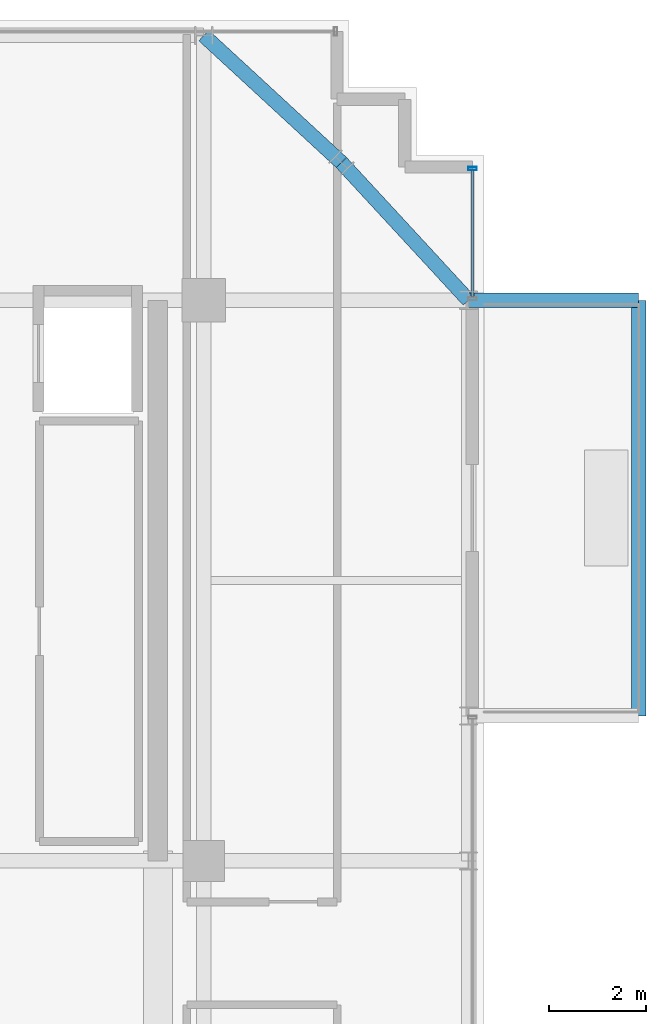
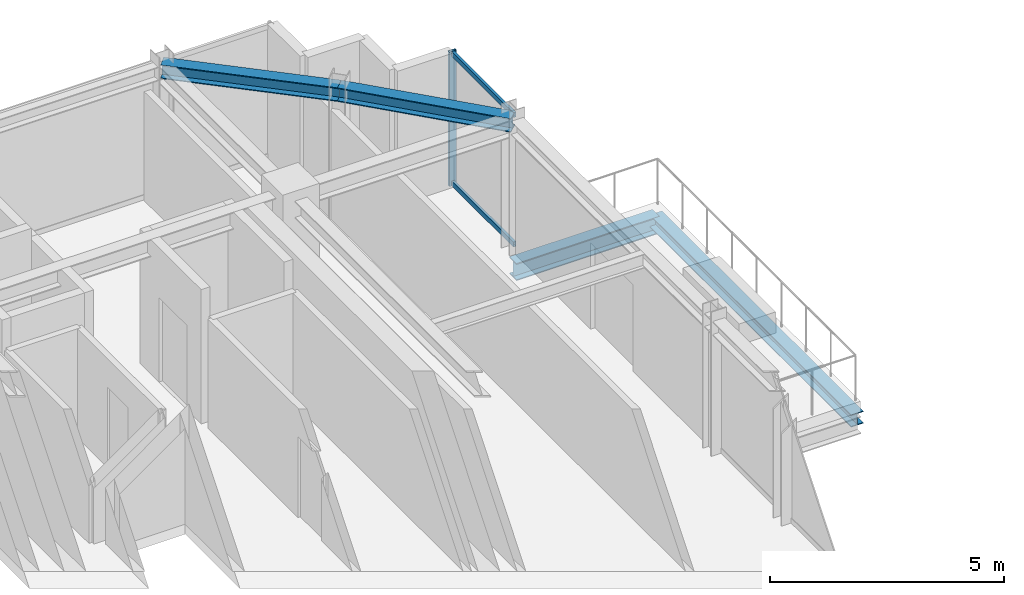
# One storey, part 24 of 32: 4 beams, 3 members, 1 element without a shape of its own.
"""IFC4 building model written with IfcOpenShell, lengths in metres."""

from ifc_helpers import new_model, si_unit, direction, frame, origin, origin_2d, place, context, subcontext, project, spatial, hollow_rectangle, i_section, extrude, source, transform, mapped, material, material_profile, profile_set, type_object, element, aggregate, save


model = new_model("IFC4")

# Units and contexts
model_context = context("Model", 3, precision=1e-05, world=origin(), true_north=direction((0.0, 1.0)))
body_context = subcontext(model_context, "Body", "Model", "MODEL_VIEW")
ifc_project = project(units=[si_unit("LENGTHUNIT", "METRE"), si_unit("AREAUNIT", "SQUARE_METRE"), si_unit("VOLUMEUNIT", "CUBIC_METRE"), si_unit("PLANEANGLEUNIT", "RADIAN"), si_unit("MASSUNIT", "GRAM", prefix="KILO")], contexts=[model_context])

# Site, building, storey
site_placement = place(None, origin())
site = spatial("IfcSite", under=ifc_project, at=site_placement, CompositionType="ELEMENT")
building_placement = place(site_placement, origin())
building = spatial("IfcBuilding", under=site, at=building_placement, Name="Nahalor Promenade Grand Hotel", CompositionType="ELEMENT")
storey_placement = place(building_placement, frame((0.0, 0.0, 330.949951171875)))
storey = spatial("IfcBuildingStorey", under=building, at=storey_placement, Name="L85", CompositionType="ELEMENT", Elevation=330.949951171875)

# Beams
ifc_material_1 = material(Name="Steel S355JR", Category="steel")
ifc_material_profile_1 = material_profile(ifc_material_1, i_section(OverallWidth=0.3, OverallDepth=0.32, WebThickness=0.0115, FlangeThickness=0.0205, at=origin_2d()), Name="HEB 320")
ifc_profile_set_1 = profile_set([ifc_material_profile_1], Name="Steel S355JR")
beam_type_1 = type_object("IfcBeamType", Name="Beam-BalcEdge-HEB320", PredefinedType="SPANDREL", material=ifc_profile_set_1)
shared_shape_1 = source(origin(), body_context, "Body", "SweptSolid", [
    extrude(i_section(OverallWidth=0.3, OverallDepth=0.32, WebThickness=0.0115, FlangeThickness=0.0205, at=origin_2d()), origin(), (0.0, 0.0, 1.0), 8.60009765625),
])
beam_1_placement = place(storey_placement, frame((26.0, 8.39990234375, -0.43994140625), z_axis=(0.0, 1.0, 0.0), x_axis=(-1.0, 0.0, 0.0)))
element("IfcBeam", 1, at=beam_1_placement, inside=storey, type_object=beam_type_1, Name="BM-L85-BC-02-F", PredefinedType="SPANDREL", context=body_context, shape_type="MappedRepresentation", body=[
    mapped(shared_shape_1, transform((0.0, 0.0, 0.0), scale=1.0)),
])
ifc_material_profile_2 = material_profile(ifc_material_1, i_section(OverallWidth=0.3, OverallDepth=0.45, WebThickness=0.014, FlangeThickness=0.026, at=origin_2d()), Name="HEB 450")
ifc_profile_set_2 = profile_set([ifc_material_profile_2], Name="Steel S355JR")
beam_type_2 = type_object("IfcBeamType", Name="Beam-Outrigger-HEB450", PredefinedType="BEAM", material=ifc_profile_set_2)
shared_shape_2 = source(origin(), body_context, "Body", "SweptSolid", [
    extrude(i_section(OverallWidth=0.3, OverallDepth=0.45, WebThickness=0.014, FlangeThickness=0.026, at=origin_2d()), origin(), (0.0, 0.0, 1.0), 3.52001953125),
])
beam_2_placement = place(storey_placement, frame((22.47998046875, 17.0, -0.5048828125), z_axis=(1.0, 0.0, 0.0), x_axis=(0.0, 1.0, 0.0)))
element("IfcBeam", 2, at=beam_2_placement, inside=storey, type_object=beam_type_2, Name="BM-L85-BC-02-2", PredefinedType="BEAM", context=body_context, shape_type="MappedRepresentation", body=[
    mapped(shared_shape_2, transform((0.0, 0.0, 0.0), scale=1.0)),
])
ifc_material_profile_3 = material_profile(ifc_material_1, i_section(OverallWidth=0.3, OverallDepth=0.36, WebThickness=0.0125, FlangeThickness=0.0225, at=origin_2d()), Name="HEB 360")
ifc_profile_set_3 = profile_set([ifc_material_profile_3], Name="Steel S355JR")
beam_type_3 = type_object("IfcBeamType", Name="Beam-Spandrel-HEB360", PredefinedType="SPANDREL", material=ifc_profile_set_3)
shared_shape_3 = source(origin(), body_context, "Body", "SweptSolid", [
    extrude(i_section(OverallWidth=0.3, OverallDepth=0.36, WebThickness=0.0125, FlangeThickness=0.0225, at=origin_2d()), origin(), (0.0, 0.0, 1.0), 3.878173828125),
])
for number, where, z_axis, x_axis, name in (
    (3, (17.0, 22.47998046875, 3.320068359375), (0.73492893846, -0.678144125843, 0.0), (0.678144125843, 0.73492893846, 0.0), "BM-L85-SPC-NE-1"),
    (4, (19.85009765625, 19.85009765625, 3.320068359375), (0.678144125843, -0.73492893846, 0.0), (0.73492893846, 0.678144125843, 0.0), "BM-L85-SPC-NE-2"),
):
    element("IfcBeam", number, at=place(storey_placement, frame(where, z_axis=z_axis, x_axis=x_axis)), inside=storey, type_object=beam_type_3, Name=name, PredefinedType="SPANDREL", context=body_context, shape_type="MappedRepresentation", body=[
        mapped(shared_shape_3, transform((0.0, 0.0, 0.0), scale=1.0)),
    ])

# Curtain wall, members
ifc_material_2 = material(Name="Anodised Bronze Aluminium EN AW-6063 T6", Category="aluminium")
curtain_wall_type = type_object("IfcCurtainWallType", Name="CW2 Typical Hotel Flush Bronze Unitised Curtain Wall", PredefinedType="USERDEFINED", material=ifc_material_2)
curtain_wall_placement = place(storey_placement, origin())
curtain_wall = element("IfcCurtainWall", 5, at=curtain_wall_placement, inside=storey, type_object=curtain_wall_type, Name="L85 Curtain Wall CW-L85-E-3", ObjectType="UNITISED_CURTAIN_WALL", PredefinedType="USERDEFINED")
ifc_material_profile_4 = material_profile(ifc_material_2, hollow_rectangle(XDim=0.065, YDim=0.13, WallThickness=0.004, at=origin_2d()), Name="CWT 65x130x4")
ifc_profile_set_4 = profile_set([ifc_material_profile_4], Name="Anodised Bronze Aluminium EN AW-6063 T6")
member_type_1 = type_object("IfcMemberType", Name="CWT2 Typical Bronze Transom 65x130", PredefinedType="USERDEFINED", material=ifc_profile_set_4)
shared_shape_4 = source(origin(), body_context, "Body", "SweptSolid", [
    extrude(hollow_rectangle(XDim=0.065, YDim=0.13, WallThickness=0.004, at=origin_2d()), origin(), (0.0, 0.0, 1.0), 2.630126953125),
])
member_1_placement = place(storey_placement, frame((22.56005859375, 17.06494140625, 0.06494140625), z_axis=(0.0, 1.0, 0.0), x_axis=(-1.0, 0.0, 0.0)))
member_1 = element("IfcMember", 6, at=member_1_placement, type_object=member_type_1, Name="CW-L85-E-3 Transom 0-0", ObjectType="TRANSOM", PredefinedType="USERDEFINED", context=body_context, shape_type="MappedRepresentation", body=[
    mapped(shared_shape_4, transform((0.0, 0.0, 0.0), scale=1.0)),
])
member_2_placement = place(storey_placement, frame((22.56005859375, 17.06494140625, 3.43505859375), z_axis=(0.0, 1.0, 0.0), x_axis=(-1.0, 0.0, 0.0)))
member_2 = element("IfcMember", 7, at=member_2_placement, type_object=member_type_1, Name="CW-L85-E-3 Transom 0-1", ObjectType="TRANSOM", PredefinedType="USERDEFINED", context=body_context, shape_type="MappedRepresentation", body=[
    mapped(shared_shape_4, transform((0.0, 0.0, 0.0), scale=1.0)),
])
ifc_material_profile_5 = material_profile(ifc_material_2, hollow_rectangle(XDim=0.065, YDim=0.18, WallThickness=0.004, at=origin_2d()), Name="CWM 65x180x4")
ifc_profile_set_5 = profile_set([ifc_material_profile_5], Name="Anodised Bronze Aluminium EN AW-6063 T6")
member_type_2 = type_object("IfcMemberType", Name="CWM2 Typical Bronze Mullion 65x180", PredefinedType="MULLION", material=ifc_profile_set_5)
shared_shape_5 = source(origin(), body_context, "Body", "SweptSolid", [
    extrude(hollow_rectangle(XDim=0.065, YDim=0.18, WallThickness=0.004, at=origin_2d()), origin(), (0.0, 0.0, 1.0), 3.5),
])
member_3_placement = place(storey_placement, frame((22.56005859375, 19.7275390625, 0.0), z_axis=(0.0, 0.0, 1.0), x_axis=(0.0, 1.0, 0.0)))
member_3 = element("IfcMember", 8, at=member_3_placement, type_object=member_type_2, Name="CW-L85-E-3 Mullion 1", PredefinedType="MULLION", context=body_context, shape_type="MappedRepresentation", body=[
    mapped(shared_shape_5, transform((0.0, 0.0, 0.0), scale=1.0)),
])
aggregate(curtain_wall, [member_3, member_1, member_2])

save(model, "model.ifc")
